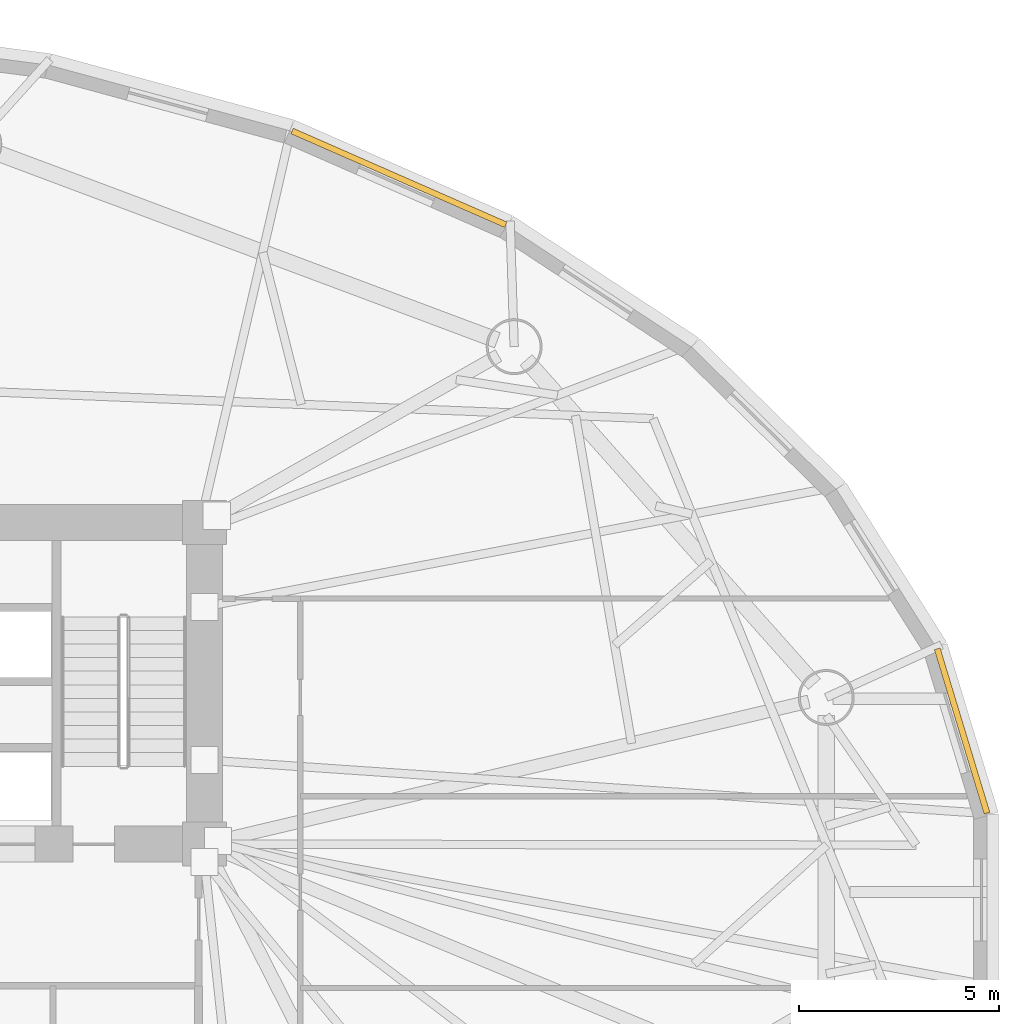
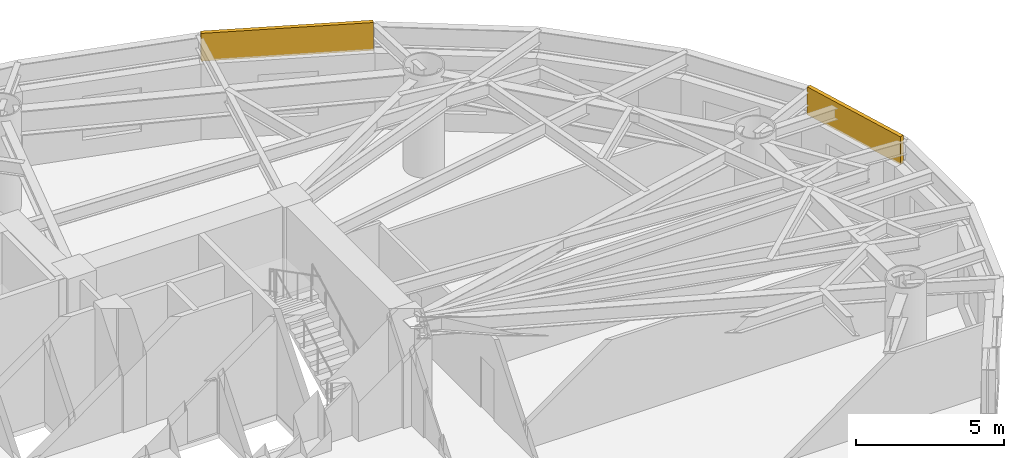
# One storey, part 14 of 14: 2 coverings.
"""IFC4 building model written with IfcOpenShell, lengths in metres."""

from ifc_helpers import new_model, si_unit, direction, frame, origin, origin_2d, place, context, subcontext, project, spatial, rectangle, extrude, material, layer, layer_set, type_object, element, save


model = new_model("IFC4")

# Units and contexts
model_context = context("Model", 3, precision=1e-05, world=origin(), true_north=direction((0.0, 1.0)))
body_context = subcontext(model_context, "Body", "Model", "MODEL_VIEW")
ifc_project = project(units=[si_unit("LENGTHUNIT", "METRE"), si_unit("AREAUNIT", "SQUARE_METRE"), si_unit("VOLUMEUNIT", "CUBIC_METRE"), si_unit("PLANEANGLEUNIT", "RADIAN"), si_unit("MASSUNIT", "GRAM", prefix="KILO")], contexts=[model_context])

# Site, building, storey
site_placement = place(None, origin())
site = spatial("IfcSite", under=ifc_project, at=site_placement, CompositionType="ELEMENT")
building_placement = place(site_placement, origin())
building = spatial("IfcBuilding", under=site, at=building_placement, Name="Keldmark Tower", CompositionType="ELEMENT")
storey_placement = place(building_placement, frame((0.0, 0.0, 14.39990234375)))
storey = spatial("IfcBuildingStorey", under=building, at=storey_placement, Name="L03", CompositionType="ELEMENT", Elevation=14.39990234375)

# Coverings
ifc_material = material(Name="Honed Kasota Buff Dolomitic Limestone", Category="masonry")
ifc_layer = layer(ifc_material, 0.074951171875)
ifc_layer_set = layer_set([ifc_layer], Name="Honed Kasota Buff Dolomitic Limestone")
covering_type = type_object("IfcCoveringType", Name="Kasota Buff Limestone Spandrel Cladding Band", PredefinedType="CLADDING", material=ifc_layer_set)
covering_1_placement = place(storey_placement, frame((32.57373046875, 4.233642578125, 3.033203125), z_axis=(0.0, 0.0, 1.0), x_axis=(-0.289883809569, 0.957061845938, 0.0)))
element("IfcCovering", 1, at=covering_1_placement, inside=storey, type_object=covering_type, Name="L03 Kasota Limestone Spandrel Band 01", PredefinedType="CLADDING", context=body_context, shape_type="SweptSolid", body=[
    extrude(rectangle(XDim=4.2998046875, YDim=0.14990234375, at=origin_2d()), origin(), (0.0, 0.0, 1.0), 1.14697265625),
])
covering_2_placement = place(storey_placement, frame((18.4697265625, 18.085205078125, 3.033203125), z_axis=(0.0, 0.0, 1.0), x_axis=(-0.915711693691, 0.401835904367, 0.0)))
element("IfcCovering", 2, at=covering_2_placement, inside=storey, type_object=covering_type, Name="L03 Kasota Limestone Spandrel Band 05", PredefinedType="CLADDING", context=body_context, shape_type="SweptSolid", body=[
    extrude(rectangle(XDim=5.843017578125, YDim=0.14990234375, at=origin_2d()), origin(), (0.0, 0.0, 1.0), 1.14697265625),
])

save(model, "model.ifc")
